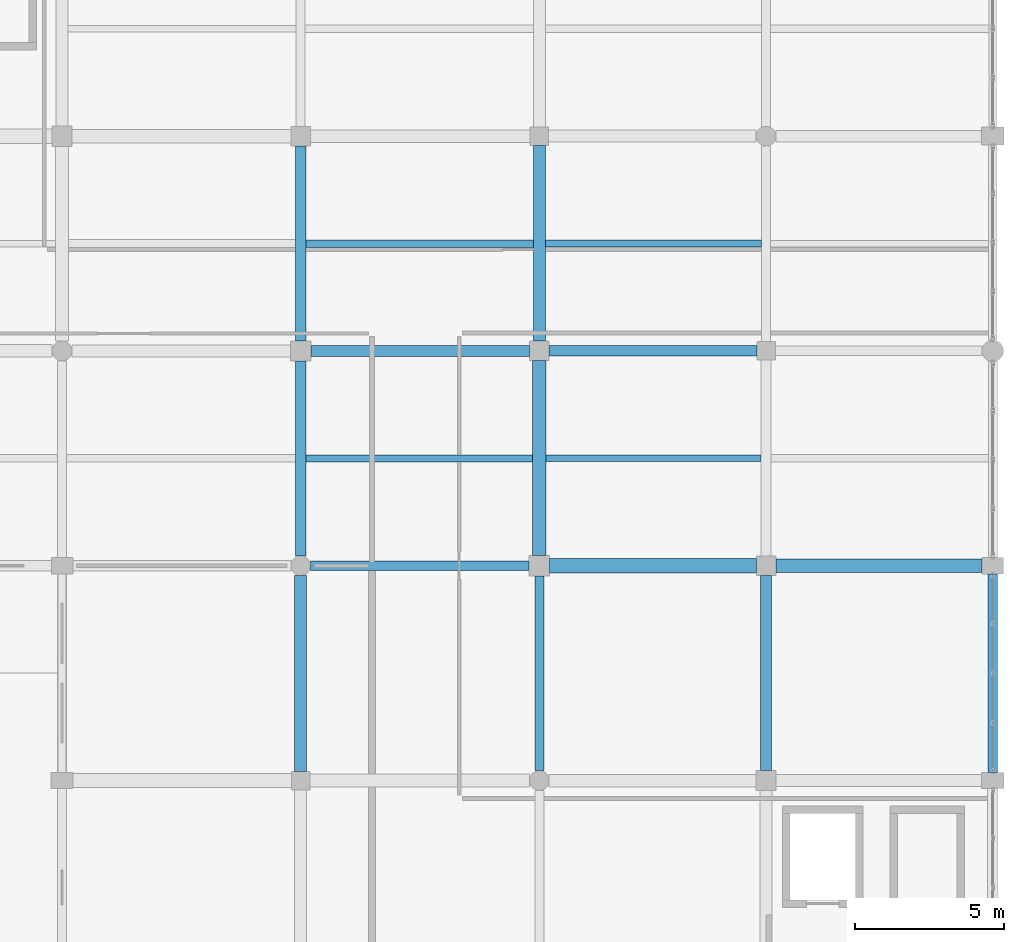
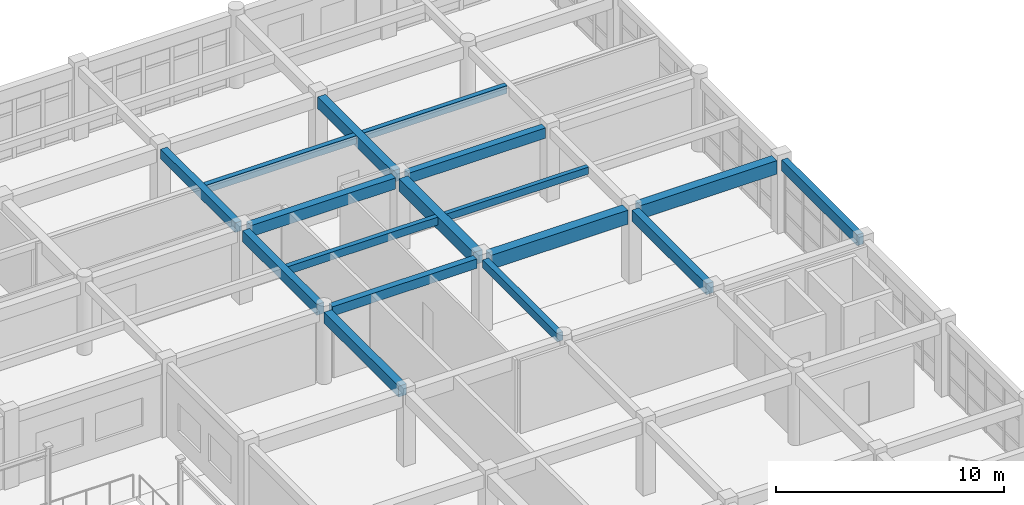
# One storey, part 137 of 195: 17 beams.
"""IFC4 building model written with IfcOpenShell, lengths in metres."""

from ifc_helpers import new_model, si_unit, direction, frame, origin, origin_2d, place, context, subcontext, project, spatial, rectangle, extrude, material, material_profile, profile_set, type_object, element, save


model = new_model("IFC4")

# Units and contexts
model_context = context("Model", 3, precision=1e-05, world=origin(), true_north=direction((0.0, 1.0)))
body_context = subcontext(model_context, "Body", "Model", "MODEL_VIEW")
ifc_project = project(units=[si_unit("LENGTHUNIT", "METRE"), si_unit("AREAUNIT", "SQUARE_METRE"), si_unit("VOLUMEUNIT", "CUBIC_METRE"), si_unit("PLANEANGLEUNIT", "RADIAN"), si_unit("MASSUNIT", "GRAM", prefix="KILO")], contexts=[model_context])

# Site, building, storey
site_placement = place(None, origin())
site = spatial("IfcSite", under=ifc_project, at=site_placement, CompositionType="ELEMENT")
building_placement = place(site_placement, origin())
building = spatial("IfcBuilding", under=site, at=building_placement, Name="Kharva Crest Polytechnic", CompositionType="ELEMENT")
storey_placement = place(building_placement, frame((0.0, 0.0, 9.0)))
storey = spatial("IfcBuildingStorey", under=building, at=storey_placement, Name="L02", CompositionType="ELEMENT", Elevation=9.0)

# Beams
ifc_material = material(Name="Concrete C35/45", Category="concrete")
ifc_material_profile_1 = material_profile(ifc_material, rectangle(XDim=0.300048828125, YDim=0.449951171875, at=origin_2d()), Name="RECT 300 X 450")
ifc_profile_set_1 = profile_set([ifc_material_profile_1], Name="Concrete C35/45")
beam_type_1 = type_object("IfcBeamType", Name="BM-RC-300X450", PredefinedType="BEAM", material=ifc_profile_set_1)
beam_1_placement = place(storey_placement, frame((168.800048828125, 93.530029296875, 3.695068359375), z_axis=(0.0, 1.0, 0.0), x_axis=(-1.0, 0.0, 0.0)))
element("IfcBeam", 1, at=beam_1_placement, inside=storey, type_object=beam_type_1, Name="L02 Girder 22/N-P", PredefinedType="BEAM", context=body_context, shape_type="SweptSolid", body=[
    extrude(rectangle(XDim=0.300048828125, YDim=0.449951171875, at=origin_2d()), origin(), (0.0, 0.0, 1.0), 6.530029296875),
])
ifc_material_profile_2 = material_profile(ifc_material, rectangle(XDim=0.320068359375, YDim=0.5, at=origin_2d()), Name="RECT 320 X 500")
ifc_profile_set_2 = profile_set([ifc_material_profile_2], Name="Concrete C35/45")
beam_type_2 = type_object("IfcBeamType", Name="BM-RC-320X500", PredefinedType="BEAM", material=ifc_profile_set_2)
beam_2_placement = place(storey_placement, frame((161.1298828125, 100.39990234375, 3.669921875), z_axis=(1.0, 0.0, 0.0), x_axis=(0.0, 1.0, 0.0)))
element("IfcBeam", 2, at=beam_2_placement, inside=storey, type_object=beam_type_2, Name="L02 Beam P/21-22", PredefinedType="BEAM", context=body_context, shape_type="SweptSolid", body=[
    extrude(rectangle(XDim=0.320068359375, YDim=0.5, at=origin_2d()), origin(), (0.0, 0.0, 1.0), 7.330078125),
])
ifc_material_profile_3 = material_profile(ifc_material, rectangle(XDim=0.340087890625, YDim=0.52001953125, at=origin_2d()), Name="RECT 340 X 520")
ifc_profile_set_3 = profile_set([ifc_material_profile_3], Name="Concrete C35/45")
beam_type_3 = type_object("IfcBeamType", Name="BM-RC-340X520", PredefinedType="BEAM", material=ifc_profile_set_3)
beam_3_placement = place(storey_placement, frame((160.800048828125, 107.93994140625, 3.659912109375), z_axis=(0.0, 1.0, 0.0), x_axis=(-1.0, 0.0, 0.0)))
element("IfcBeam", 3, at=beam_3_placement, inside=storey, type_object=beam_type_3, Name="L02 Girder 21/Q-R", PredefinedType="BEAM", context=body_context, shape_type="SweptSolid", body=[
    extrude(rectangle(XDim=0.340087890625, YDim=0.52001953125, at=origin_2d()), origin(), (0.0, 0.0, 1.0), 6.53515625),
])
ifc_material_profile_4 = material_profile(ifc_material, rectangle(XDim=0.35009765625, YDim=0.550048828125, at=origin_2d()), Name="RECT 350 X 550")
ifc_profile_set_4 = profile_set([ifc_material_profile_4], Name="Concrete C35/45")
beam_type_4 = type_object("IfcBeamType", Name="BM-RC-350X550", PredefinedType="BEAM", material=ifc_profile_set_4)
beam_4_placement = place(storey_placement, frame((169.125, 107.60009765625, 3.64501953125), z_axis=(1.0, 0.0, 0.0), x_axis=(0.0, 1.0, 0.0)))
element("IfcBeam", 4, at=beam_4_placement, inside=storey, type_object=beam_type_4, Name="L02 Beam Q/22-23", PredefinedType="BEAM", context=body_context, shape_type="SweptSolid", body=[
    extrude(rectangle(XDim=0.35009765625, YDim=0.550048828125, at=origin_2d()), origin(), (0.0, 0.0, 1.0), 6.965087890625),
])
ifc_material_profile_5 = material_profile(ifc_material, rectangle(XDim=0.360107421875, YDim=0.580078125, at=origin_2d()), Name="RECT 360 X 580")
ifc_profile_set_5 = profile_set([ifc_material_profile_5], Name="Concrete C35/45")
beam_type_5 = type_object("IfcBeamType", Name="BM-RC-360X580", PredefinedType="BEAM", material=ifc_profile_set_5)
beam_5_placement = place(storey_placement, frame((160.800048828125, 100.72998046875, 3.6298828125), z_axis=(0.0, 1.0, 0.0), x_axis=(-1.0, 0.0, 0.0)))
element("IfcBeam", 5, at=beam_5_placement, inside=storey, type_object=beam_type_5, Name="L02 Girder 21/P-Q", PredefinedType="BEAM", context=body_context, shape_type="SweptSolid", body=[
    extrude(rectangle(XDim=0.360107421875, YDim=0.580078125, at=origin_2d()), origin(), (0.0, 0.0, 1.0), 6.530029296875),
])
beam_6_placement = place(storey_placement, frame((176.39990234375, 93.5400390625, 3.6298828125), z_axis=(0.0, 1.0, 0.0), x_axis=(-1.0, 0.0, 0.0)))
element("IfcBeam", 6, at=beam_6_placement, inside=storey, type_object=beam_type_5, Name="L02 Girder 23/N-P", PredefinedType="BEAM", context=body_context, shape_type="SweptSolid", body=[
    extrude(rectangle(XDim=0.360107421875, YDim=0.580078125, at=origin_2d()), origin(), (0.0, 0.0, 1.0), 6.534912109375),
])
ifc_material_profile_6 = material_profile(ifc_material, rectangle(XDim=0.3798828125, YDim=0.60009765625, at=origin_2d()), Name="RECT 380 X 600")
ifc_profile_set_6 = profile_set([ifc_material_profile_6], Name="Concrete C35/45")
beam_type_6 = type_object("IfcBeamType", Name="BM-RC-380X600", PredefinedType="BEAM", material=ifc_profile_set_6)
beam_7_placement = place(storey_placement, frame((161.139892578125, 107.60009765625, 3.6201171875), z_axis=(1.0, 0.0, 0.0), x_axis=(0.0, 1.0, 0.0)))
element("IfcBeam", 7, at=beam_7_placement, inside=storey, type_object=beam_type_6, Name="L02 Beam Q/21-22", PredefinedType="BEAM", context=body_context, shape_type="SweptSolid", body=[
    extrude(rectangle(XDim=0.3798828125, YDim=0.60009765625, at=origin_2d()), origin(), (0.0, 0.0, 1.0), 7.335205078125),
])
ifc_material_profile_7 = material_profile(ifc_material, rectangle(XDim=0.39990234375, YDim=0.580078125, at=origin_2d()), Name="RECT 400 X 580")
ifc_profile_set_7 = profile_set([ifc_material_profile_7], Name="Concrete C35/45")
beam_type_7 = type_object("IfcBeamType", Name="BM-RC-400X580", PredefinedType="BEAM", material=ifc_profile_set_7)
beam_8_placement = place(storey_placement, frame((160.800048828125, 93.510009765625, 3.6298828125), z_axis=(0.0, 1.0, 0.0), x_axis=(-1.0, 0.0, 0.0)))
element("IfcBeam", 8, at=beam_8_placement, inside=storey, type_object=beam_type_7, Name="L02 Girder 21/N-P", PredefinedType="BEAM", context=body_context, shape_type="SweptSolid", body=[
    extrude(rectangle(XDim=0.39990234375, YDim=0.580078125, at=origin_2d()), origin(), (0.0, 0.0, 1.0), 6.56005859375),
])
ifc_material_profile_8 = material_profile(ifc_material, rectangle(XDim=0.39990234375, YDim=0.6201171875, at=origin_2d()), Name="RECT 400 X 620")
ifc_profile_set_8 = profile_set([ifc_material_profile_8], Name="Concrete C35/45")
beam_type_8 = type_object("IfcBeamType", Name="BM-RC-400X620", PredefinedType="BEAM", material=ifc_profile_set_8)
beam_9_placement = place(storey_placement, frame((168.800048828125, 107.925048828125, 3.610107421875), z_axis=(0.0, 1.0, 0.0), x_axis=(-1.0, 0.0, 0.0)))
element("IfcBeam", 9, at=beam_9_placement, inside=storey, type_object=beam_type_8, Name="L02 Girder 22/Q-R", PredefinedType="BEAM", context=body_context, shape_type="SweptSolid", body=[
    extrude(rectangle(XDim=0.39990234375, YDim=0.6201171875, at=origin_2d()), origin(), (0.0, 0.0, 1.0), 6.56494140625),
])
ifc_material_profile_9 = material_profile(ifc_material, rectangle(XDim=0.449951171875, YDim=0.679931640625, at=origin_2d()), Name="RECT 450 X 680")
ifc_profile_set_9 = profile_set([ifc_material_profile_9], Name="Concrete C35/45")
beam_type_9 = type_object("IfcBeamType", Name="BM-RC-450X680", PredefinedType="BEAM", material=ifc_profile_set_9)
beam_10_placement = place(storey_placement, frame((168.800048828125, 100.739990234375, 3.580078125), z_axis=(0.0, 1.0, 0.0), x_axis=(-1.0, 0.0, 0.0)))
element("IfcBeam", 10, at=beam_10_placement, inside=storey, type_object=beam_type_9, Name="L02 Girder 22/P-Q", PredefinedType="BEAM", context=body_context, shape_type="SweptSolid", body=[
    extrude(rectangle(XDim=0.449951171875, YDim=0.679931640625, at=origin_2d()), origin(), (0.0, 0.0, 1.0), 6.534912109375),
])
ifc_material_profile_10 = material_profile(ifc_material, rectangle(XDim=0.449951171875, YDim=0.719970703125, at=origin_2d()), Name="RECT 450 X 720")
ifc_profile_set_10 = profile_set([ifc_material_profile_10], Name="Concrete C35/45")
beam_type_10 = type_object("IfcBeamType", Name="BM-RC-450X720", PredefinedType="BEAM", material=ifc_profile_set_10)
beam_11_placement = place(storey_placement, frame((176.72509765625, 100.39990234375, 3.56005859375), z_axis=(1.0, 0.0, 0.0), x_axis=(0.0, 1.0, 0.0)))
element("IfcBeam", 11, at=beam_11_placement, inside=storey, type_object=beam_type_10, Name="L02 Beam P/23-24", PredefinedType="BEAM", context=body_context, shape_type="SweptSolid", body=[
    extrude(rectangle(XDim=0.449951171875, YDim=0.719970703125, at=origin_2d()), origin(), (0.0, 0.0, 1.0), 6.914794921875),
])
ifc_material_profile_11 = material_profile(ifc_material, rectangle(XDim=0.47998046875, YDim=0.75, at=origin_2d()), Name="RECT 480 X 750")
ifc_profile_set_11 = profile_set([ifc_material_profile_11], Name="Concrete C35/45")
beam_type_11 = type_object("IfcBeamType", Name="BM-RC-480X750", PredefinedType="BEAM", material=ifc_profile_set_11)
beam_12_placement = place(storey_placement, frame((169.139892578125, 100.39990234375, 3.544921875), z_axis=(1.0, 0.0, 0.0), x_axis=(0.0, 1.0, 0.0)))
element("IfcBeam", 12, at=beam_12_placement, inside=storey, type_object=beam_type_11, Name="L02 Beam P/22-23", PredefinedType="BEAM", context=body_context, shape_type="SweptSolid", body=[
    extrude(rectangle(XDim=0.47998046875, YDim=0.75, at=origin_2d()), origin(), (0.0, 0.0, 1.0), 6.93505859375),
])
ifc_material_profile_12 = material_profile(ifc_material, rectangle(XDim=0.219970703125, YDim=0.3798828125, at=origin_2d()), Name="RECT 220 X 380")
ifc_profile_set_12 = profile_set([ifc_material_profile_12], Name="Concrete C35/45")
beam_type_12 = type_object("IfcBeamType", Name="JS-RC-220X380", PredefinedType="JOIST", material=ifc_profile_set_12)
beam_13_placement = place(storey_placement, frame((169.02490234375, 104.0, 3.72998046875), z_axis=(1.0, 0.0, 0.0), x_axis=(0.0, 1.0, 0.0)))
element("IfcBeam", 13, at=beam_13_placement, inside=storey, type_object=beam_type_12, Name="L02 Floor Joist 32", PredefinedType="JOIST", context=body_context, shape_type="SweptSolid", body=[
    extrude(rectangle(XDim=0.219970703125, YDim=0.3798828125, at=origin_2d()), origin(), (0.0, 0.0, 1.0), 7.205078125),
])
ifc_material_profile_13 = material_profile(ifc_material, rectangle(XDim=0.239990234375, YDim=0.419921875, at=origin_2d()), Name="RECT 240 X 420")
ifc_profile_set_13 = profile_set([ifc_material_profile_13], Name="Concrete C35/45")
beam_type_13 = type_object("IfcBeamType", Name="JS-RC-240X420", PredefinedType="JOIST", material=ifc_profile_set_13)
beam_14_placement = place(storey_placement, frame((160.97998046875, 104.0, 3.7099609375), z_axis=(1.0, 0.0, 0.0), x_axis=(0.0, 1.0, 0.0)))
element("IfcBeam", 14, at=beam_14_placement, inside=storey, type_object=beam_type_13, Name="L02 Floor Joist 31", PredefinedType="JOIST", context=body_context, shape_type="SweptSolid", body=[
    extrude(rectangle(XDim=0.239990234375, YDim=0.419921875, at=origin_2d()), origin(), (0.0, 0.0, 1.0), 7.594970703125),
])
beam_15_placement = place(storey_placement, frame((169.0, 111.199951171875, 3.7099609375), z_axis=(1.0, 0.0, 0.0), x_axis=(0.0, 1.0, 0.0)))
element("IfcBeam", 15, at=beam_15_placement, inside=storey, type_object=beam_type_13, Name="L02 Floor Joist 51", PredefinedType="JOIST", context=body_context, shape_type="SweptSolid", body=[
    extrude(rectangle(XDim=0.239990234375, YDim=0.419921875, at=origin_2d()), origin(), (0.0, 0.0, 1.0), 7.25),
])
ifc_material_profile_14 = material_profile(ifc_material, rectangle(XDim=0.25, YDim=0.43994140625, at=origin_2d()), Name="RECT 250 X 440")
ifc_profile_set_14 = profile_set([ifc_material_profile_14], Name="Concrete C35/45")
beam_type_14 = type_object("IfcBeamType", Name="JS-RC-250X440", PredefinedType="JOIST", material=ifc_profile_set_14)
beam_16_placement = place(storey_placement, frame((160.969970703125, 111.199951171875, 3.699951171875), z_axis=(1.0, 0.0, 0.0), x_axis=(0.0, 1.0, 0.0)))
element("IfcBeam", 16, at=beam_16_placement, inside=storey, type_object=beam_type_14, Name="L02 Floor Joist 50", PredefinedType="JOIST", context=body_context, shape_type="SweptSolid", body=[
    extrude(rectangle(XDim=0.25, YDim=0.43994140625, at=origin_2d()), origin(), (0.0, 0.0, 1.0), 7.630126953125),
])
ifc_material_profile_15 = material_profile(ifc_material, rectangle(XDim=0.320068359375, YDim=0.580078125, at=origin_2d()), Name="RECT 320 X 580")
ifc_profile_set_15 = profile_set([ifc_material_profile_15], Name="Concrete C35/45")
beam_type_15 = type_object("IfcBeamType", Name="SP-RC-320X580", PredefinedType="SPANDREL", material=ifc_profile_set_15)
beam_17_placement = place(storey_placement, frame((184.0, 93.47509765625, 3.6298828125), z_axis=(0.0, 1.0, 0.0), x_axis=(-1.0, 0.0, 0.0)))
element("IfcBeam", 17, at=beam_17_placement, inside=storey, type_object=beam_type_15, Name="L02 Girder 24/N-P", PredefinedType="SPANDREL", context=body_context, shape_type="SweptSolid", body=[
    extrude(rectangle(XDim=0.320068359375, YDim=0.580078125, at=origin_2d()), origin(), (0.0, 0.0, 1.0), 6.64990234375),
])

save(model, "model.ifc")
